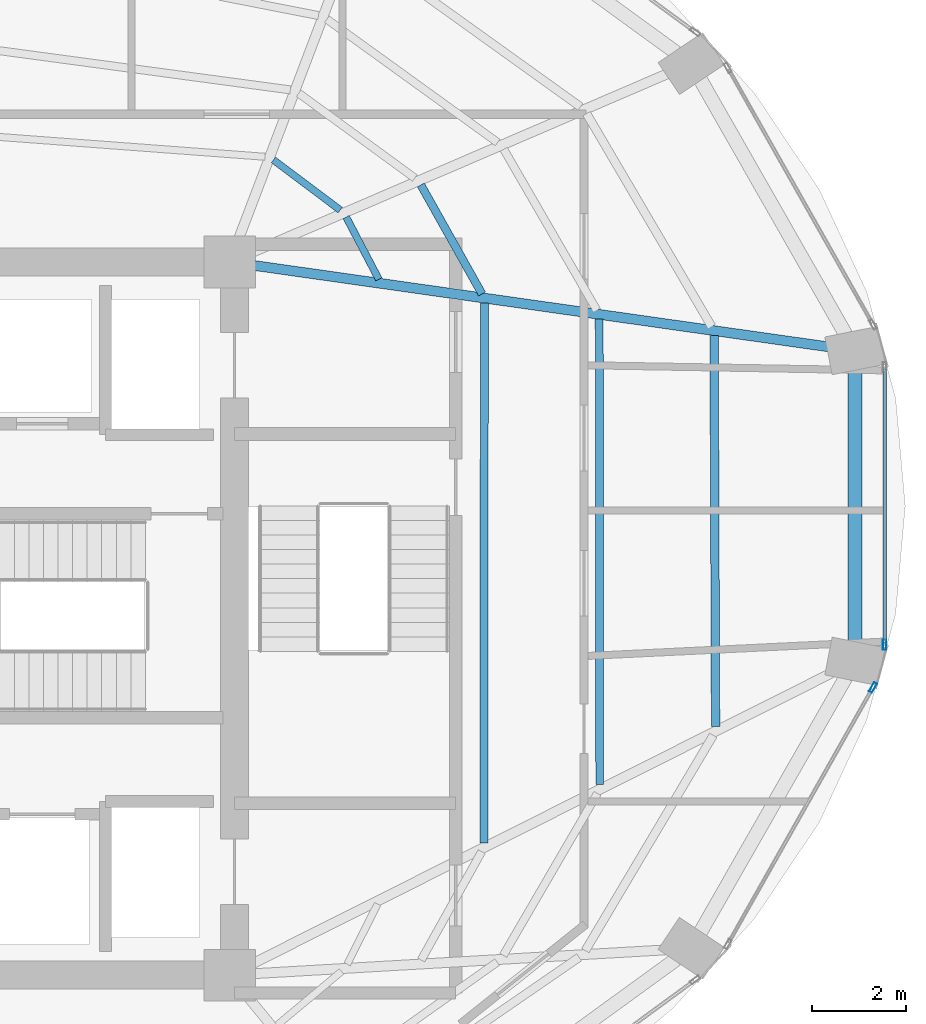
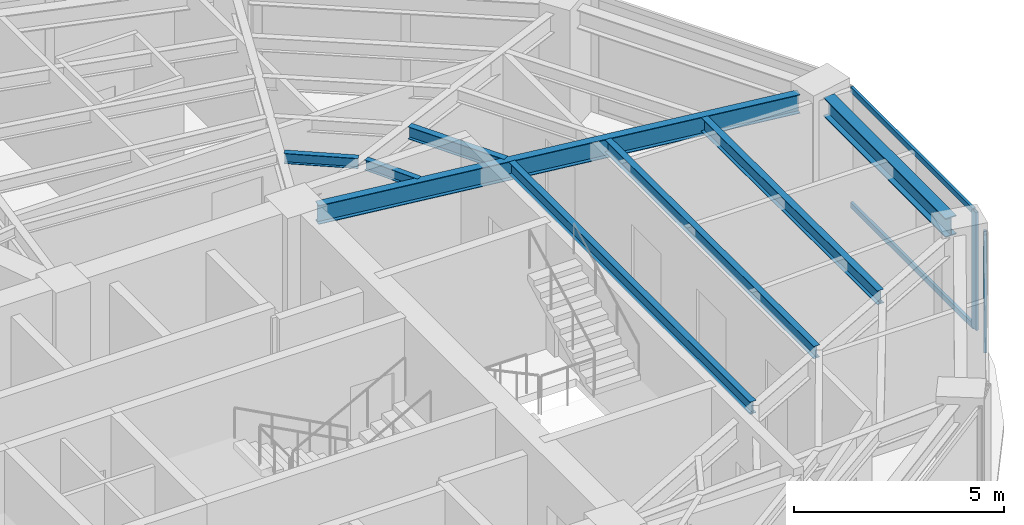
# One storey, part 10 of 20: 8 beams, 4 members, 2 elements without a shape of their own.
"""IFC4 building model written with IfcOpenShell, lengths in metres."""

from ifc_helpers import new_model, si_unit, direction, frame, origin, origin_2d, place, context, subcontext, project, spatial, hollow_rectangle, i_section, extrude, material, layer, layer_set, material_profile, profile_set, type_object, element, aggregate, save


model = new_model("IFC4")

# Units and contexts
model_context = context("Model", 3, precision=1e-05, world=origin(), true_north=direction((0.0, 1.0)))
body_context = subcontext(model_context, "Body", "Model", "MODEL_VIEW")
ifc_project = project(units=[si_unit("LENGTHUNIT", "METRE"), si_unit("AREAUNIT", "SQUARE_METRE"), si_unit("VOLUMEUNIT", "CUBIC_METRE"), si_unit("PLANEANGLEUNIT", "RADIAN"), si_unit("MASSUNIT", "GRAM", prefix="KILO")], contexts=[model_context])

# Site, building, storey
site_placement = place(None, origin())
site = spatial("IfcSite", under=ifc_project, at=site_placement, CompositionType="ELEMENT")
building_placement = place(site_placement, origin())
building = spatial("IfcBuilding", under=site, at=building_placement, Name="Lazwardi Medical Tower", CompositionType="ELEMENT")
storey_placement = place(building_placement, frame((0.0, 0.0, 141.93603515625)))
storey = spatial("IfcBuildingStorey", under=building, at=storey_placement, Name="L36", CompositionType="ELEMENT", Elevation=141.93603515625)

# Beams
ifc_material_1 = material(Name="Steel S355", Category="steel")
ifc_material_profile_1 = material_profile(ifc_material_1, i_section(OverallWidth=0.300048828125, OverallDepth=0.550048828125, WebThickness=0.014892578125, FlangeThickness=0.029052734375, at=origin_2d()), Name="HEB 550")
ifc_profile_set_1 = profile_set([ifc_material_profile_1], Name="Steel S355")
beam_type_1 = type_object("IfcBeamType", Name="BM-RB-Z3", PredefinedType="BEAM", material=ifc_profile_set_1)
beam_1_placement = place(storey_placement, frame((58.92578125, 27.48828125, 3.153076171875), z_axis=(0.0, 1.0, 0.0), x_axis=(-1.0, 0.0, 0.0)))
element("IfcBeam", 1, at=beam_1_placement, inside=storey, type_object=beam_type_1, Name="Ring beam RB-04 B04 L36", PredefinedType="BEAM", context=body_context, shape_type="SweptSolid", body=[
    extrude(i_section(OverallWidth=0.300048828125, OverallDepth=0.550048828125, WebThickness=0.014892578125, FlangeThickness=0.029052734375, at=origin_2d()), origin(), (0.0, 0.0, 1.0), 5.823486328125),
])
ifc_material_profile_2 = material_profile(ifc_material_1, i_section(OverallWidth=0.2099609375, OverallDepth=0.550048828125, WebThickness=0.010986328125, FlangeThickness=0.01708984375, at=origin_2d()), Name="IPE 550")
ifc_profile_set_2 = profile_set([ifc_material_profile_2], Name="Steel S355")
beam_type_2 = type_object("IfcBeamType", Name="BM-RG-W2", PredefinedType="BEAM", material=ifc_profile_set_2)
beam_2_placement = place(storey_placement, frame((58.371337890625, 33.790283203125, 3.153076171875), z_axis=(-0.99010958763, 0.140296131389, 0.0), x_axis=(-0.140296131389, -0.99010958763, 0.0)))
element("IfcBeam", 2, at=beam_2_placement, inside=storey, type_object=beam_type_2, Name="Radial girder RG-03 R05 L36", PredefinedType="BEAM", context=body_context, shape_type="SweptSolid", body=[
    extrude(i_section(OverallWidth=0.2099609375, OverallDepth=0.550048828125, WebThickness=0.010986328125, FlangeThickness=0.01708984375, at=origin_2d()), origin(), (0.0, 0.0, 1.0), 12.364013671875),
])
ifc_material_profile_3 = material_profile(ifc_material_1, i_section(OverallWidth=0.179931640625, OverallDepth=0.39990234375, WebThickness=0.008544921875, FlangeThickness=0.013427734375, at=origin_2d()), Name="IPE 400")
ifc_profile_set_3 = profile_set([ifc_material_profile_3], Name="Steel S355")
beam_type_3 = type_object("IfcBeamType", Name="BM-SJ-01", PredefinedType="JOIST", material=ifc_profile_set_3)
beam_3_placement = place(storey_placement, frame((55.95556640625, 25.69775390625, 3.22802734375), z_axis=(-0.003864366017, 0.99999253331, 0.0), x_axis=(-0.99999253331, -0.003864366017, 0.0)))
element("IfcBeam", 3, at=beam_3_placement, inside=storey, type_object=beam_type_3, Name="Secondary joist SJ-01 R1 B04 L36", PredefinedType="JOIST", context=body_context, shape_type="SweptSolid", body=[
    extrude(i_section(OverallWidth=0.179931640625, OverallDepth=0.39990234375, WebThickness=0.008544921875, FlangeThickness=0.013427734375, at=origin_2d()), origin(), (0.0, 0.0, 1.0), 8.33935546875),
])
ifc_material_profile_4 = material_profile(ifc_material_1, i_section(OverallWidth=0.169921875, OverallDepth=0.360107421875, WebThickness=0.008056640625, FlangeThickness=0.0126953125, at=origin_2d()), Name="IPE 360")
ifc_profile_set_4 = profile_set([ifc_material_profile_4], Name="Steel S355")
beam_type_4 = type_object("IfcBeamType", Name="BM-SJ-02", PredefinedType="JOIST", material=ifc_profile_set_4)
beam_4_placement = place(storey_placement, frame((53.486328125, 24.458251953125, 3.248046875), z_axis=(-0.001156040156, 0.999999331785, 0.0), x_axis=(-0.999999331785, -0.001156040156, 0.0)))
element("IfcBeam", 4, at=beam_4_placement, inside=storey, type_object=beam_type_4, Name="Secondary joist SJ-02 R2 B04 L36", PredefinedType="JOIST", context=body_context, shape_type="SweptSolid", body=[
    extrude(i_section(OverallWidth=0.169921875, OverallDepth=0.360107421875, WebThickness=0.008056640625, FlangeThickness=0.0126953125, at=origin_2d()), origin(), (0.0, 0.0, 1.0), 9.92578125),
])
beam_5_placement = place(storey_placement, frame((51.01708984375, 23.21875, 3.248046875), z_axis=(0.000805852776, 0.999999675301, 0.0), x_axis=(-0.999999675301, 0.000805852776, 0.0)))
element("IfcBeam", 5, at=beam_5_placement, inside=storey, type_object=beam_type_4, Name="Secondary joist SJ-02 R3 B04 L36", PredefinedType="JOIST", context=body_context, shape_type="SweptSolid", body=[
    extrude(i_section(OverallWidth=0.169921875, OverallDepth=0.360107421875, WebThickness=0.008056640625, FlangeThickness=0.0126953125, at=origin_2d()), origin(), (0.0, 0.0, 1.0), 11.512451171875),
])
beam_6_placement = place(storey_placement, frame((50.977294921875, 34.918212890625, 3.248046875), z_axis=(-0.489408945026, 0.872054404569, 0.0), x_axis=(-0.872054404569, -0.489408945026, 0.0)))
element("IfcBeam", 6, at=beam_6_placement, inside=storey, type_object=beam_type_4, Name="Secondary joist SJ-02 R3 B05 L36", PredefinedType="JOIST", context=body_context, shape_type="SweptSolid", body=[
    extrude(i_section(OverallWidth=0.169921875, OverallDepth=0.360107421875, WebThickness=0.008056640625, FlangeThickness=0.0126953125, at=origin_2d()), origin(), (0.0, 0.0, 1.0), 2.666259765625),
])
ifc_material_profile_5 = material_profile(ifc_material_1, i_section(OverallWidth=0.14990234375, OverallDepth=0.300048828125, WebThickness=0.007080078125, FlangeThickness=0.0107421875, at=origin_2d()), Name="IPE 300")
ifc_profile_set_5 = profile_set([ifc_material_profile_5], Name="Steel S355")
beam_type_5 = type_object("IfcBeamType", Name="BM-SJ-03", PredefinedType="JOIST", material=ifc_profile_set_5)
beam_7_placement = place(storey_placement, frame((48.7763671875, 35.231689453125, 3.278076171875), z_axis=(-0.464469748171, 0.885588986513, 0.0), x_axis=(-0.885588986513, -0.464469748171, 0.0)))
element("IfcBeam", 7, at=beam_7_placement, inside=storey, type_object=beam_type_5, Name="Secondary joist SJ-03 R4 B05 L36", PredefinedType="JOIST", context=body_context, shape_type="SweptSolid", body=[
    extrude(i_section(OverallWidth=0.14990234375, OverallDepth=0.300048828125, WebThickness=0.007080078125, FlangeThickness=0.0107421875, at=origin_2d()), origin(), (0.0, 0.0, 1.0), 1.498046875),
])
beam_8_placement = place(storey_placement, frame((47.9541015625, 36.70703125, 3.278076171875), z_axis=(-0.799884834751, 0.600153522972, 0.0), x_axis=(-0.600153522972, -0.799884834751, 0.0)))
element("IfcBeam", 8, at=beam_8_placement, inside=storey, type_object=beam_type_5, Name="Secondary joist SJ-03 R4 B06 L36", PredefinedType="JOIST", context=body_context, shape_type="SweptSolid", body=[
    extrude(i_section(OverallWidth=0.14990234375, OverallDepth=0.300048828125, WebThickness=0.007080078125, FlangeThickness=0.0107421875, at=origin_2d()), origin(), (0.0, 0.0, 1.0), 1.781005859375),
])

# Curtain wall, member
ifc_material_2 = material(Name="Anodised bronze aluminium and solar control glazing", Category="aluminium")
ifc_layer = layer(ifc_material_2, 0.195068359375)
ifc_layer_set = layer_set([ifc_layer], Name="Anodised bronze aluminium and solar control glazing")
curtain_wall_type = type_object("IfcCurtainWallType", Name="CW-SYS-03", PredefinedType="NOTDEFINED", material=ifc_layer_set)
curtain_wall_1_placement = place(storey_placement, origin())
curtain_wall_1 = element("IfcCurtainWall", 9, at=curtain_wall_1_placement, inside=storey, type_object=curtain_wall_type, Name="L36 Unitised bronze curtain wall CW-03", PredefinedType="NOTDEFINED")
ifc_material_3 = material(Name="Anodised bronze aluminium", Category="aluminium")
ifc_material_profile_6 = material_profile(ifc_material_3, hollow_rectangle(XDim=0.074951171875, YDim=0.219970703125, WallThickness=0.00390625, at=origin_2d()), Name="ALU-MULLION 220x75x4")
ifc_profile_set_6 = profile_set([ifc_material_profile_6], Name="Anodised bronze aluminium")
member_type_1 = type_object("IfcMemberType", Name="CW-MUL-01", PredefinedType="MULLION", material=ifc_profile_set_6)
member_1_placement = place(storey_placement, frame((59.31103515625, 26.53271484375, 0.0), z_axis=(0.0, 0.0, 1.0), x_axis=(-0.870418989303, 0.492311672683, 0.0)))
member_1 = element("IfcMember", 10, at=member_1_placement, type_object=member_type_1, Name="CW-03 mullion 2", PredefinedType="MULLION", context=body_context, shape_type="SweptSolid", body=[
    extrude(hollow_rectangle(XDim=0.074951171875, YDim=0.219970703125, WallThickness=0.00390625, at=origin_2d()), origin(), (0.0, 0.0, 1.0), 3.427978515625),
])
aggregate(curtain_wall_1, [member_1])

# Curtain wall, members
curtain_wall_2_placement = place(storey_placement, origin())
curtain_wall_2 = element("IfcCurtainWall", 11, at=curtain_wall_2_placement, inside=storey, type_object=curtain_wall_type, Name="L36 Unitised bronze curtain wall CW-03", PredefinedType="NOTDEFINED")
member_2_placement = place(storey_placement, frame((59.5576171875, 27.442138671875, 0.0), z_axis=(0.0, 0.0, 1.0), x_axis=(-1.0, 0.0, 0.0)))
member_2 = element("IfcMember", 12, at=member_2_placement, type_object=member_type_1, Name="CW-03 mullion 1", PredefinedType="MULLION", context=body_context, shape_type="SweptSolid", body=[
    extrude(hollow_rectangle(XDim=0.074951171875, YDim=0.219970703125, WallThickness=0.00390625, at=origin_2d()), origin(), (0.0, 0.0, 1.0), 3.427978515625),
])
ifc_material_profile_7 = material_profile(ifc_material_3, hollow_rectangle(XDim=0.074951171875, YDim=0.159912109375, WallThickness=0.00390625, at=origin_2d()), Name="ALU-TRANSOM 160x75x4")
ifc_profile_set_7 = profile_set([ifc_material_profile_7], Name="Anodised bronze aluminium")
member_type_2 = type_object("IfcMemberType", Name="CW-TRN-01", PredefinedType="USERDEFINED", material=ifc_profile_set_7)
member_3_placement = place(storey_placement, frame((59.5576171875, 27.4794921875, 0.037353515625), z_axis=(0.0, 1.0, 0.0), x_axis=(-1.0, 0.0, 0.0)))
member_3 = element("IfcMember", 13, at=member_3_placement, type_object=member_type_2, Name="CW-03 transom 1.1", ObjectType="TRANSOM", PredefinedType="USERDEFINED", context=body_context, shape_type="SweptSolid", body=[
    extrude(hollow_rectangle(XDim=0.074951171875, YDim=0.159912109375, WallThickness=0.00390625, at=origin_2d()), origin(), (0.0, 0.0, 1.0), 5.8408203125),
])
member_4_placement = place(storey_placement, frame((59.5576171875, 27.4794921875, 3.390380859375), z_axis=(0.0, 1.0, 0.0), x_axis=(-1.0, 0.0, 0.0)))
member_4 = element("IfcMember", 14, at=member_4_placement, type_object=member_type_2, Name="CW-03 transom 1.2", ObjectType="TRANSOM", PredefinedType="USERDEFINED", context=body_context, shape_type="SweptSolid", body=[
    extrude(hollow_rectangle(XDim=0.074951171875, YDim=0.159912109375, WallThickness=0.00390625, at=origin_2d()), origin(), (0.0, 0.0, 1.0), 5.8408203125),
])
aggregate(curtain_wall_2, [member_2, member_3, member_4])

save(model, "model.ifc")
